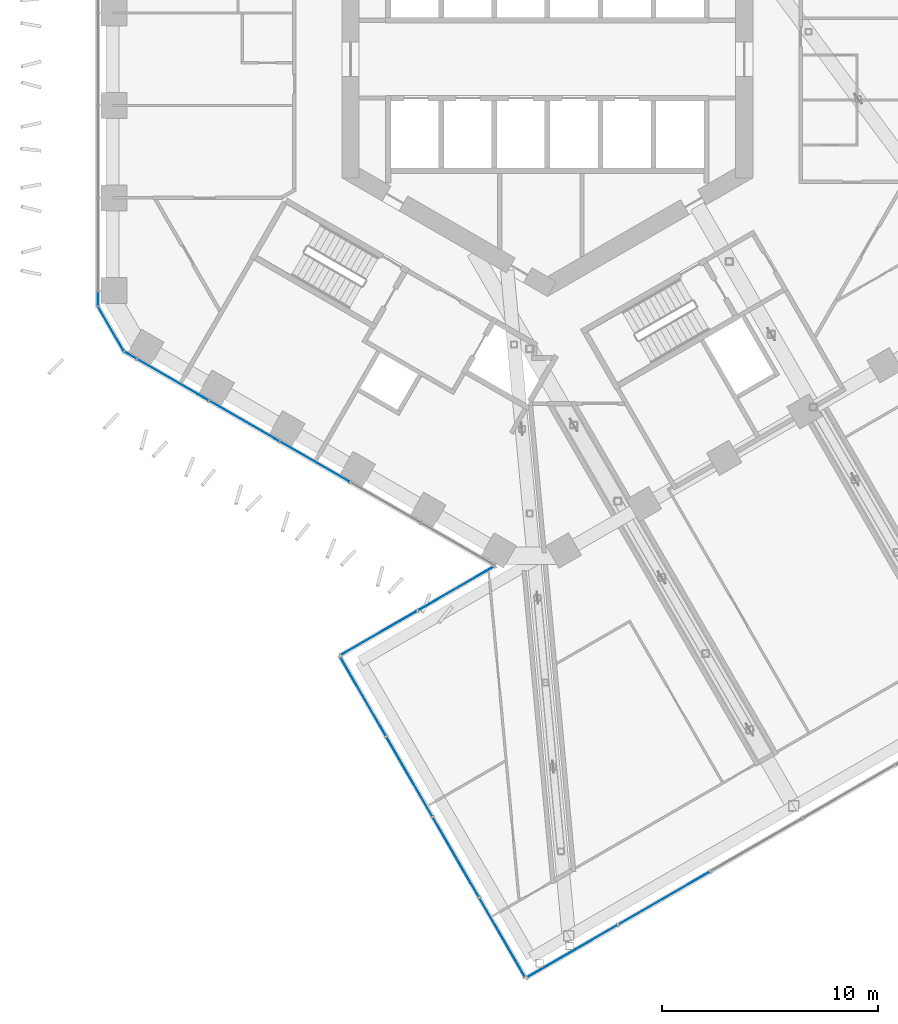
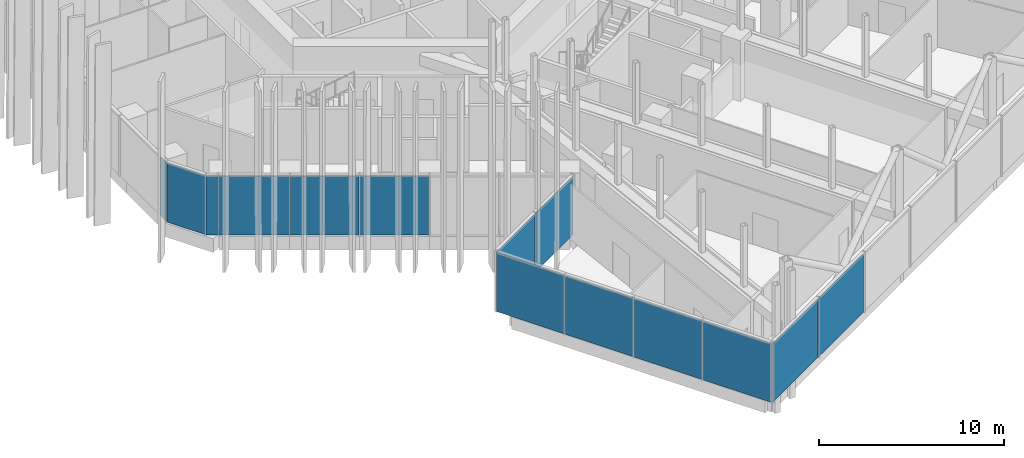
# One storey, part 13 of 29: 14 plates, 5 elements without a shape of their own.
"""IFC4 building model written with IfcOpenShell, lengths in metres."""

from ifc_helpers import new_model, si_unit, direction, frame, origin, origin_2d, place, context, subcontext, project, spatial, rectangle, extrude, material, layer, layer_set, type_object, element, aggregate, save


model = new_model("IFC4")

# Units and contexts
model_context = context("Model", 3, precision=1e-05, world=origin(), true_north=direction((0.0, 1.0)))
body_context = subcontext(model_context, "Body", "Model", "MODEL_VIEW")
ifc_project = project(units=[si_unit("LENGTHUNIT", "METRE"), si_unit("AREAUNIT", "SQUARE_METRE"), si_unit("VOLUMEUNIT", "CUBIC_METRE"), si_unit("PLANEANGLEUNIT", "RADIAN"), si_unit("MASSUNIT", "GRAM", prefix="KILO")], contexts=[model_context])

# Site, building, storey
site_placement = place(None, origin())
site = spatial("IfcSite", under=ifc_project, at=site_placement, CompositionType="ELEMENT")
building_placement = place(site_placement, origin())
building = spatial("IfcBuilding", under=site, at=building_placement, Name="Ayvan Gate Tower", CompositionType="ELEMENT")
storey_placement = place(building_placement, frame((0.0, 0.0, 66.300048828125)))
storey = spatial("IfcBuildingStorey", under=building, at=storey_placement, Name="L17", CompositionType="ELEMENT", Elevation=66.300048828125)

# Curtain wall, plates
ifc_material_1 = material(Name="Bronze anodised aluminium", Category="aluminium")
ifc_layer_1 = layer(ifc_material_1, 0.199951171875)
ifc_layer_set_1 = layer_set([ifc_layer_1], Name="Bronze anodised aluminium")
curtain_wall_type_1 = type_object("IfcCurtainWallType", Name="Stick curtain wall CW-1", PredefinedType="NOTDEFINED", material=ifc_layer_set_1)
curtain_wall_1_placement = place(storey_placement, origin())
curtain_wall_1 = element("IfcCurtainWall", 1, at=curtain_wall_1_placement, inside=storey, type_object=curtain_wall_type_1, Name="Stick curtain wall CW-1 L17", PredefinedType="NOTDEFINED")
ifc_material_2 = material(Name="Clear low-iron laminated glass", Category="glass")
ifc_layer_2 = layer(ifc_material_2, 0.028076171875)
ifc_layer_set_2 = layer_set([ifc_layer_2], Name="Clear low-iron laminated glass")
plate_type_1 = type_object("IfcPlateType", Name="Stick curtain wall CW-1 glass panel", PredefinedType="CURTAIN_PANEL", material=ifc_layer_set_2)
plate_1_placement = place(storey_placement, frame((-17.315673828125, -14.81103515625, 0.0), z_axis=(0.0, 0.0, 1.0), x_axis=(0.866025403784, -0.5, 0.0)))
plate_1 = element("IfcPlate", 2, at=plate_1_placement, type_object=plate_type_1, Name="CW-1 glass panel 1", PredefinedType="CURTAIN_PANEL", context=body_context, shape_type="SweptSolid", body=[
    extrude(rectangle(XDim=3.8349609375, YDim=0.028076171875, at=origin_2d()), origin(), (0.0, 0.0, 1.0), 3.8798828125),
])
plate_2_placement = place(storey_placement, frame((-14.0, -16.725341796875, 0.0), z_axis=(0.0, 0.0, 1.0), x_axis=(0.866025403784, -0.5, 0.0)))
plate_2 = element("IfcPlate", 3, at=plate_2_placement, type_object=plate_type_1, Name="CW-1 glass panel 2", PredefinedType="CURTAIN_PANEL", context=body_context, shape_type="SweptSolid", body=[
    extrude(rectangle(XDim=3.701904296875, YDim=0.028076171875, at=origin_2d()), origin(), (0.0, 0.0, 1.0), 3.8798828125),
])
plate_3_placement = place(storey_placement, frame((-10.7421875, -18.6064453125, 0.0), z_axis=(0.0, 0.0, 1.0), x_axis=(0.866025403784, -0.5, 0.0)))
plate_3 = element("IfcPlate", 4, at=plate_3_placement, type_object=plate_type_1, Name="CW-1 glass panel 3", PredefinedType="CURTAIN_PANEL", context=body_context, shape_type="SweptSolid", body=[
    extrude(rectangle(XDim=3.701904296875, YDim=0.028076171875, at=origin_2d()), origin(), (0.0, 0.0, 1.0), 3.8798828125),
])
aggregate(curtain_wall_1, [plate_1, plate_2, plate_3])

# Curtain wall, plate
ifc_layer_3 = layer(ifc_material_1, 0.199951171875)
ifc_layer_set_3 = layer_set([ifc_layer_3], Name="Bronze anodised aluminium")
curtain_wall_type_2 = type_object("IfcCurtainWallType", Name="Stick curtain wall CW-4", PredefinedType="NOTDEFINED", material=ifc_layer_set_3)
curtain_wall_2_placement = place(storey_placement, origin())
curtain_wall_2 = element("IfcCurtainWall", 5, at=curtain_wall_2_placement, inside=storey, type_object=curtain_wall_type_2, Name="Stick curtain wall CW-4 L17", PredefinedType="NOTDEFINED")
ifc_layer_4 = layer(ifc_material_2, 0.028076171875)
ifc_layer_set_4 = layer_set([ifc_layer_4], Name="Clear low-iron laminated glass")
plate_type_2 = type_object("IfcPlateType", Name="Stick curtain wall CW-4 glass panel", PredefinedType="CURTAIN_PANEL", material=ifc_layer_set_4)
plate_4_placement = place(storey_placement, frame((-7.798828125, -26.525634765625, 0.0), z_axis=(0.0, 0.0, 1.0), x_axis=(-0.866025403784, -0.5, 0.0)))
plate_4 = element("IfcPlate", 6, at=plate_4_placement, type_object=plate_type_2, Name="CW-4 glass panel 2", PredefinedType="CURTAIN_PANEL", context=body_context, shape_type="SweptSolid", body=[
    extrude(rectangle(XDim=4.08642578125, YDim=0.028076171875, at=origin_2d()), origin(), (0.0, 0.0, 1.0), 3.860107421875),
])

# Curtain wall, plates
curtain_wall_3_placement = place(storey_placement, origin())
curtain_wall_3 = element("IfcCurtainWall", 7, at=curtain_wall_3_placement, inside=storey, type_object=curtain_wall_type_2, Name="Stick curtain wall CW-4 L17", PredefinedType="NOTDEFINED")
ifc_material_3 = material(Name="Pale anodised aluminium composite panel", Category="aluminium")
ifc_layer_5 = layer(ifc_material_3, 0.028076171875)
ifc_layer_set_5 = layer_set([ifc_layer_5], Name="Pale anodised aluminium composite panel")
plate_type_3 = type_object("IfcPlateType", Name="Stick curtain wall CW-4 solid panel", PredefinedType="CURTAIN_PANEL", material=ifc_layer_set_5)
plate_5_placement = place(storey_placement, frame((-8.52783203125, -29.42919921875, 0.0), z_axis=(0.0, 0.0, 1.0), x_axis=(0.5, -0.866025403784, 0.0)))
plate_5 = element("IfcPlate", 8, at=plate_5_placement, type_object=plate_type_3, Name="CW-4 solid panel 1", PredefinedType="CURTAIN_PANEL", context=body_context, shape_type="SweptSolid", body=[
    extrude(rectangle(XDim=4.219970703125, YDim=0.028076171875, at=origin_2d()), origin(), (0.0, 0.0, 1.0), 3.860107421875),
])
plate_6_placement = place(storey_placement, frame((-6.3779296875, -33.153076171875, 0.0), z_axis=(0.0, 0.0, 1.0), x_axis=(0.5, -0.866025403784, 0.0)))
plate_6 = element("IfcPlate", 9, at=plate_6_placement, type_object=plate_type_3, Name="CW-4 solid panel 2", PredefinedType="CURTAIN_PANEL", context=body_context, shape_type="SweptSolid", body=[
    extrude(rectangle(XDim=4.219970703125, YDim=0.028076171875, at=origin_2d()), origin(), (0.0, 0.0, 1.0), 3.860107421875),
])
plate_7_placement = place(storey_placement, frame((-4.22802734375, -36.876953125, 0.0), z_axis=(0.0, 0.0, 1.0), x_axis=(0.5, -0.866025403784, 0.0)))
plate_7 = element("IfcPlate", 10, at=plate_7_placement, type_object=plate_type_3, Name="CW-4 solid panel 3", PredefinedType="CURTAIN_PANEL", context=body_context, shape_type="SweptSolid", body=[
    extrude(rectangle(XDim=4.219970703125, YDim=0.028076171875, at=origin_2d()), origin(), (0.0, 0.0, 1.0), 3.860107421875),
])
plate_8_placement = place(storey_placement, frame((-2.077880859375, -40.600830078125, 0.0), z_axis=(0.0, 0.0, 1.0), x_axis=(0.5, -0.866025403784, 0.0)))
plate_8 = element("IfcPlate", 11, at=plate_8_placement, type_object=plate_type_3, Name="CW-4 solid panel 4", PredefinedType="CURTAIN_PANEL", context=body_context, shape_type="SweptSolid", body=[
    extrude(rectangle(XDim=4.219970703125, YDim=0.028076171875, at=origin_2d()), origin(), (0.0, 0.0, 1.0), 3.860107421875),
])
aggregate(curtain_wall_3, [plate_5, plate_6, plate_7, plate_8])

curtain_wall_4_placement = place(storey_placement, origin())
curtain_wall_4 = element("IfcCurtainWall", 12, at=curtain_wall_4_placement, inside=storey, type_object=curtain_wall_type_2, Name="Stick curtain wall CW-4 L17", PredefinedType="NOTDEFINED")
plate_9_placement = place(storey_placement, frame((1.129638671875, -41.231689453125, 0.0), z_axis=(0.0, 0.0, 1.0), x_axis=(0.866025403784, 0.5, 0.0)))
plate_9 = element("IfcPlate", 13, at=plate_9_placement, type_object=plate_type_3, Name="CW-4 solid panel 1", PredefinedType="CURTAIN_PANEL", context=body_context, shape_type="SweptSolid", body=[
    extrude(rectangle(XDim=4.844970703125, YDim=0.028076171875, at=origin_2d()), origin(), (0.0, 0.0, 1.0), 3.860107421875),
])
plate_10_placement = place(storey_placement, frame((5.394775390625, -38.76904296875, 0.0), z_axis=(0.0, 0.0, 1.0), x_axis=(0.866025403784, 0.5, 0.0)))
plate_10 = element("IfcPlate", 14, at=plate_10_placement, type_object=plate_type_3, Name="CW-4 solid panel 2", PredefinedType="CURTAIN_PANEL", context=body_context, shape_type="SweptSolid", body=[
    extrude(rectangle(XDim=4.844970703125, YDim=0.028076171875, at=origin_2d()), origin(), (0.0, 0.0, 1.0), 3.860107421875),
])
aggregate(curtain_wall_4, [plate_9, plate_10])

# Plate
plate_11_placement = place(storey_placement, frame((-4.190673828125, -24.4423828125, 0.0), z_axis=(0.0, 0.0, 1.0), x_axis=(-0.866025403784, -0.5, 0.0)))
plate_11 = element("IfcPlate", 15, at=plate_11_placement, type_object=plate_type_3, Name="CW-4 solid panel 1", PredefinedType="CURTAIN_PANEL", context=body_context, shape_type="SweptSolid", body=[
    extrude(rectangle(XDim=4.08642578125, YDim=0.028076171875, at=origin_2d()), origin(), (0.0, 0.0, 1.0), 3.860107421875),
])

aggregate(curtain_wall_2, [plate_11, plate_4])

# Curtain wall, plates
ifc_layer_6 = layer(ifc_material_1, 0.199951171875)
ifc_layer_set_6 = layer_set([ifc_layer_6], Name="Bronze anodised aluminium")
curtain_wall_type_3 = type_object("IfcCurtainWallType", Name="Stick curtain wall CW-6", PredefinedType="NOTDEFINED", material=ifc_layer_set_6)
curtain_wall_5_placement = place(storey_placement, origin())
curtain_wall_5 = element("IfcCurtainWall", 16, at=curtain_wall_5_placement, inside=storey, type_object=curtain_wall_type_3, Name="Stick curtain wall CW-6 L17", PredefinedType="NOTDEFINED")
ifc_layer_7 = layer(ifc_material_2, 0.028076171875)
ifc_layer_set_7 = layer_set([ifc_layer_7], Name="Clear low-iron laminated glass")
plate_type_4 = type_object("IfcPlateType", Name="Stick curtain wall CW-6 glass panel", PredefinedType="CURTAIN_PANEL", material=ifc_layer_set_7)
plate_12_placement = place(storey_placement, frame((-20.7724609375, -11.083740234375, 0.0), z_axis=(0.0, 0.0, 1.0), x_axis=(0.0, -1.0, 0.0)))
plate_12 = element("IfcPlate", 17, at=plate_12_placement, type_object=plate_type_4, Name="CW-6 glass panel 1", PredefinedType="CURTAIN_PANEL", context=body_context, shape_type="SweptSolid", body=[
    extrude(rectangle(XDim=0.625, YDim=0.028076171875, at=origin_2d()), origin(), (0.0, 0.0, 1.0), 3.8798828125),
])
plate_13_placement = place(storey_placement, frame((-20.168701171875, -12.466796875, 0.0), z_axis=(0.0, 0.0, 1.0), x_axis=(0.5, -0.866025403784, 0.0)))
plate_13 = element("IfcPlate", 18, at=plate_13_placement, type_object=plate_type_4, Name="CW-6 glass panel 2", PredefinedType="CURTAIN_PANEL", context=body_context, shape_type="SweptSolid", body=[
    extrude(rectangle(XDim=2.364501953125, YDim=0.028076171875, at=origin_2d()), origin(), (0.0, 0.0, 1.0), 3.8798828125),
])
plate_14_placement = place(storey_placement, frame((-19.27294921875, -13.68115234375, 0.0), z_axis=(0.0, 0.0, 1.0), x_axis=(0.866025403784, -0.5, 0.0)))
plate_14 = element("IfcPlate", 19, at=plate_14_placement, type_object=plate_type_4, Name="CW-6 glass panel 3", PredefinedType="CURTAIN_PANEL", context=body_context, shape_type="SweptSolid", body=[
    extrude(rectangle(XDim=0.625, YDim=0.028076171875, at=origin_2d()), origin(), (0.0, 0.0, 1.0), 3.8798828125),
])
aggregate(curtain_wall_5, [plate_12, plate_13, plate_14])

save(model, "model.ifc")
